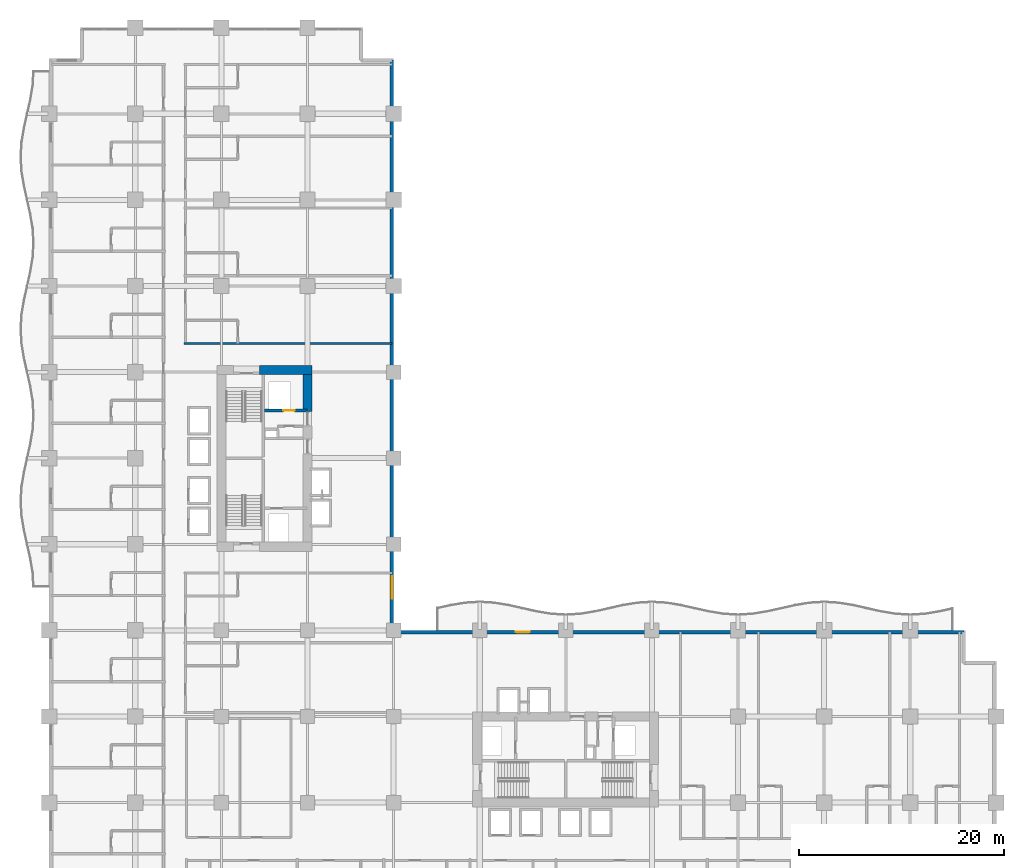
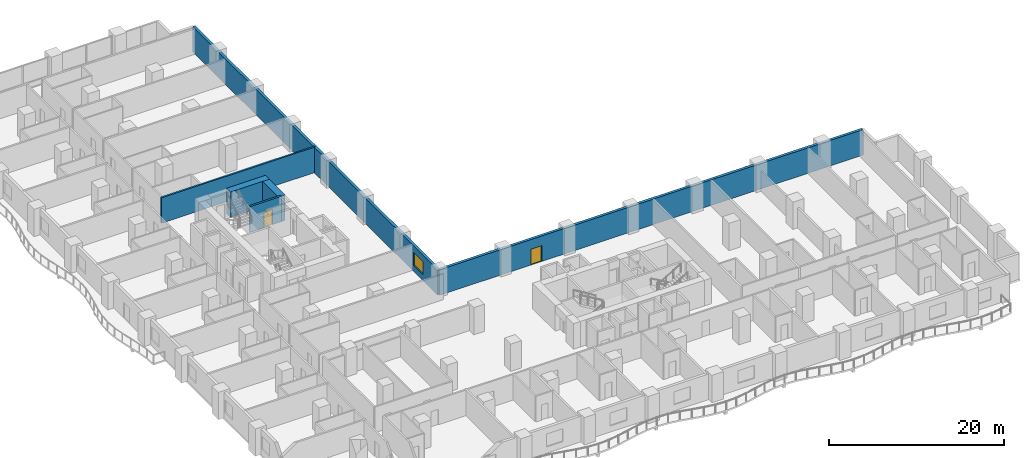
# One storey, part 15 of 23: 6 walls, 2 doors, 1 window, 3 openings.
"""IFC4 building model written with IfcOpenShell, lengths in metres."""

import ifcopenshell
import ifcopenshell.guid

model = None  # the IFC model being written
_history = None  # IfcOwnerHistory: only IFC2X3 demands one
_inside = {}  # id of a spatial element -> (the spatial element, [elements in it])
_under = {}  # id of a project, library or spatial element -> (it, [spatial elements below it])
_declared = {}  # id of a project -> (the project, [libraries it declares])
_typed = {}  # id of a type object -> (the type object, [elements of that type])
_made_of = {}  # id of a material, layer set ... -> (it, [elements and type objects made of it])


def new_model(schema):
    """Start an empty IFC model of exactly this schema.

    Asked for "IFC4X3", IfcOpenShell would pick the latest addendum, in which some entities
    have other attributes; the version numbers below select the first issue.
    IFC2X3 requires an IfcOwnerHistory on every rooted entity: one is made here for all.
    """
    global model, _history
    if schema == "IFC4X3":
        model = ifcopenshell.file(schema_version=(4, 3, 0, 0))
    else:
        model = ifcopenshell.file(schema=schema)
    _inside.clear()
    _under.clear()
    _declared.clear()
    _typed.clear()
    _made_of.clear()
    _history = None
    if model.schema == "IFC2X3":
        org = make("IfcOrganization", Name="unknown")
        user = make(
            "IfcPersonAndOrganization",
            ThePerson=make("IfcPerson", FamilyName="unknown"),
            TheOrganization=org,
        )
        app = make(
            "IfcApplication",
            ApplicationDeveloper=org,
            Version="unknown",
            ApplicationFullName="unknown",
            ApplicationIdentifier="unknown",
        )
        _history = make(
            "IfcOwnerHistory",
            OwningUser=user,
            OwningApplication=app,
            ChangeAction="ADDED",
            CreationDate=0,
        )
    return model


def make(cls, **values):
    """One entity of the class cls with the attributes given. An attribute that is None is left unset."""
    return model.create_entity(
        cls, **{name: value for name, value in values.items() if value is not None}
    )


def rooted(cls, **values):
    """An entity with a GlobalId (a new one), such as an element, a storey or a relation."""
    return make(cls, GlobalId=ifcopenshell.guid.new(), OwnerHistory=_history, **values)


def si_unit(unit_type, name, prefix=None):
    """IfcSIUnit, for example si_unit("LENGTHUNIT", "METRE", prefix="MILLI")."""
    return make("IfcSIUnit", UnitType=unit_type, Prefix=prefix, Name=name)


def assignment(units):
    """IfcUnitAssignment: the units of a project."""
    return None if units is None else make("IfcUnitAssignment", Units=units)


def point(xyz):
    """IfcCartesianPoint."""
    return None if xyz is None else make("IfcCartesianPoint", Coordinates=xyz)


def direction(xyz):
    """IfcDirection."""
    return None if xyz is None else make("IfcDirection", DirectionRatios=xyz)


def frame(location, z_axis=None, x_axis=None):
    """IfcAxis2Placement3D, a coordinate frame: its origin and axes. An axis left out is left unset."""
    return make(
        "IfcAxis2Placement3D",
        Location=point(location),
        Axis=direction(z_axis),
        RefDirection=direction(x_axis),
    )


def frame_2d(location, x_axis=None):
    """IfcAxis2Placement2D, a coordinate frame in the plane: its origin and x axis."""
    return make(
        "IfcAxis2Placement2D", Location=point(location), RefDirection=direction(x_axis)
    )


def origin():
    """The frame at (0, 0, 0) with its axes left unset."""
    return frame((0.0, 0.0, 0.0))


def place(relative_to, where):
    """IfcLocalPlacement: puts the frame where relative to a parent placement (None: the world)."""
    return make(
        "IfcLocalPlacement", PlacementRelTo=relative_to, RelativePlacement=where
    )


def context(
    kind, dimensions, precision=None, world=None, true_north=None, identifier=None
):
    """IfcGeometricRepresentationContext, for example the 3D "Model" context."""
    return make(
        "IfcGeometricRepresentationContext",
        ContextIdentifier=identifier,
        ContextType=kind,
        CoordinateSpaceDimension=dimensions,
        Precision=precision,
        WorldCoordinateSystem=world,
        TrueNorth=true_north,
    )


def subcontext(parent, identifier, kind, view, scale=None):
    """IfcGeometricRepresentationSubContext, for example "Body" below "Model"."""
    return make(
        "IfcGeometricRepresentationSubContext",
        ContextIdentifier=identifier,
        ContextType=kind,
        ParentContext=parent,
        TargetScale=scale,
        TargetView=view,
    )


def project(units=None, contexts=None):
    """IfcProject with its units and contexts."""
    return rooted(
        "IfcProject",
        Name="project",
        RepresentationContexts=contexts,
        UnitsInContext=assignment(units),
    )


def spatial(cls, under=None, at=None, **own):
    """A site, building, storey or space (cls), placed at a placement, below another one or the project."""
    s = rooted(cls, ObjectPlacement=at, **own)
    if under is not None:
        _under.setdefault(under.id(), (under, []))[1].append(s)
    return s


def profile(cls, at=None, kind="AREA", **sizes):
    """A parametric profile (cls). Its sizes go by their IFC names, for example OverallWidth=200.0."""
    return make(cls, ProfileType=kind, Position=at, **sizes)


def rectangle(**sizes):
    """IfcRectangleProfileDef."""
    return profile("IfcRectangleProfileDef", **sizes)


def extrude(swept, where, along, depth):
    """IfcExtrudedAreaSolid: the profile swept, set in the frame where, extruded along a direction by depth."""
    return make(
        "IfcExtrudedAreaSolid",
        SweptArea=swept,
        Position=where,
        ExtrudedDirection=direction(along),
        Depth=depth,
    )


def shape(context_of_items, identifier, shape_type, items):
    """IfcShapeRepresentation: the items that make up one representation, for example the "Body"."""
    return make(
        "IfcShapeRepresentation",
        ContextOfItems=context_of_items,
        RepresentationIdentifier=identifier,
        RepresentationType=shape_type,
        Items=items,
    )


def material(Name=None, Category=None):
    """IfcMaterial."""
    return make("IfcMaterial", Name=Name, Category=Category)


def layer(
    of_material, thickness, ventilated=None, Name=None, Category=None, Priority=None
):
    """IfcMaterialLayer: one layer of a wall or slab, of a material (None: an air gap)."""
    return make(
        "IfcMaterialLayer",
        Material=of_material,
        LayerThickness=thickness,
        IsVentilated=ventilated,
        Name=Name,
        Category=Category,
        Priority=Priority,
    )


def layer_set(layers, Name=None):
    """IfcMaterialLayerSet."""
    return make("IfcMaterialLayerSet", MaterialLayers=layers, LayerSetName=Name)


def made_of(thing, what):
    """Note that an element or type object is made of a material, layer set ...; save() writes the relation."""
    if what is not None:
        _made_of.setdefault(what.id(), (what, []))[1].append(thing)
    return thing


def type_object(cls, material=None, **own):
    """A type object (cls), such as IfcWallType, which elements share."""
    return made_of(rooted(cls, **own), material)


def element(
    cls,
    number,
    at=None,
    inside=None,
    cuts=None,
    type_object=None,
    material=None,
    context=None,
    identifier="Body",
    shape_type=None,
    held_by="IfcProductDefinitionShape",
    body=None,
    shapes=None,
    **own,
):
    """One element of the class cls, such as IfcWall. Its Tag is "e" and its number.

    at: its placement. inside: the storey or other place that contains it. cuts: it is an
    opening in that element (IfcRelVoidsElement). A single representation is given by context,
    identifier, shape_type and body (its items); several are given by shapes. held_by: the class
    of the entity that holds the representations. save() writes the other relations.
    """
    e = rooted(cls, Tag="e%d" % number, ObjectPlacement=at, **own)
    if body is not None:
        shapes = [shape(context, identifier, shape_type, body)]
    if shapes is not None:
        e.Representation = make(held_by, Representations=shapes)
    if inside is not None:
        _inside.setdefault(inside.id(), (inside, []))[1].append(e)
    if cuts is not None:
        rooted(
            "IfcRelVoidsElement", RelatingBuildingElement=cuts, RelatedOpeningElement=e
        )
    if type_object is not None:
        _typed.setdefault(type_object.id(), (type_object, []))[1].append(e)
    return made_of(e, material)


def fill(opening, filler):
    """IfcRelFillsElement: the door or window that sits in an opening."""
    return rooted(
        "IfcRelFillsElement",
        RelatingOpeningElement=opening,
        RelatedBuildingElement=filler,
    )


def aggregate(whole, parts):
    """IfcRelAggregates: a whole, such as a stair, and the parts it consists of."""
    return rooted("IfcRelAggregates", RelatingObject=whole, RelatedObjects=parts)


def save(model, path):
    """Write the relations noted so far, then the file.

    IfcRelAggregates (storeys below a building ...), IfcRelContainedInSpatialStructure (elements
    in a storey), IfcRelDefinesByType, IfcRelAssociatesMaterial and IfcRelDeclares: one each for
    every whole, place, type object, material and project.
    """
    for whole, parts in _under.values():
        aggregate(whole, parts)
    for where, things in _inside.values():
        rooted(
            "IfcRelContainedInSpatialStructure",
            RelatedElements=things,
            RelatingStructure=where,
        )
    for kind, things in _typed.values():
        rooted("IfcRelDefinesByType", RelatedObjects=things, RelatingType=kind)
    for what, things in _made_of.values():
        rooted("IfcRelAssociatesMaterial", RelatedObjects=things, RelatingMaterial=what)
    for by, libraries in _declared.values():
        rooted("IfcRelDeclares", RelatingContext=by, RelatedDefinitions=libraries)
    model.write(path)


model = new_model("IFC4")

# Units and contexts
model_context = context("Model", 3, precision=1e-05, world=origin(), true_north=direction((0.0, 1.0)))
body_context = subcontext(model_context, "Body", "Model", "MODEL_VIEW")
ifc_project = project(units=[si_unit("LENGTHUNIT", "METRE"), si_unit("AREAUNIT", "SQUARE_METRE"), si_unit("VOLUMEUNIT", "CUBIC_METRE"), si_unit("PLANEANGLEUNIT", "RADIAN"), si_unit("MASSUNIT", "GRAM", prefix="KILO")], contexts=[model_context])

# Site, building, storey
site_placement = place(None, origin())
site = spatial("IfcSite", under=ifc_project, at=site_placement, CompositionType="ELEMENT")
building_placement = place(site_placement, origin())
building = spatial("IfcBuilding", under=site, at=building_placement, Name="Koriwani Terraces Tower", CompositionType="ELEMENT")
storey_placement = place(building_placement, frame((0.0, 0.0, 32.0)))
storey = spatial("IfcBuildingStorey", under=building, at=storey_placement, Name="L06", CompositionType="ELEMENT", Elevation=32.0)

# Walls
ifc_material_1 = material(Name="Concrete C60/75", Category="concrete")
ifc_layer_1 = layer(ifc_material_1, 0.89990234375, Name="Concrete C60/75")
ifc_layer_set_1 = layer_set([ifc_layer_1], Name="Concrete C60/75")
wall_type_1 = type_object("IfcWallType", Name="WALL_CORE_RC_900", PredefinedType="SHEAR", material=ifc_layer_set_1)
wall_1_placement = place(storey_placement, frame((20.5, 59.0, 0.0), z_axis=(0.0, 0.0, 1.0), x_axis=(1.0, 0.0, 0.0)))
element("IfcWall", 1, at=wall_1_placement, inside=storey, type_object=wall_type_1, Name="L06 West Split Core Shear Wall N2", PredefinedType="SHEAR", context=body_context, shape_type="SweptSolid", body=[
    extrude(rectangle(XDim=5.14990234375, YDim=0.89990234375, at=frame_2d((2.574951171875, 0.0))), origin(), (0.0, 0.0, 1.0), 3.550048828125),
])
wall_2_placement = place(storey_placement, frame((25.199951171875, 54.949951171875, 0.0), z_axis=(0.0, 0.0, 1.0), x_axis=(0.0, 1.0, 0.0)))
element("IfcWall", 2, at=wall_2_placement, inside=storey, type_object=wall_type_1, Name="L06 West Split Core Shear Wall E3", PredefinedType="SHEAR", context=body_context, shape_type="SweptSolid", body=[
    extrude(rectangle(XDim=3.60009765625, YDim=0.89990234375, at=frame_2d((1.800048828125, 0.0))), origin(), (0.0, 0.0, 1.0), 3.550048828125),
])
ifc_material_2 = material(Name="Autoclaved Cellular Concrete Blockwork", Category="masonry")
ifc_layer_2 = layer(ifc_material_2, 0.219970703125, Name="Autoclaved Cellular Concrete Blockwork")
ifc_layer_set_2 = layer_set([ifc_layer_2], Name="Autoclaved Cellular Concrete Blockwork")
wall_type_2 = type_object("IfcWallType", Name="WALL_DEMISING_220", PredefinedType="PARTITIONING", material=ifc_layer_set_2)
wall_3_placement = place(storey_placement, frame((13.14990234375, 61.60009765625, 0.0), z_axis=(0.0, 0.0, 1.0), x_axis=(1.0, 0.0, 0.0)))
element("IfcWall", 3, at=wall_3_placement, inside=storey, type_object=wall_type_2, Name="L06 Interior Wall WDEM-L06-NE-0", PredefinedType="PARTITIONING", context=body_context, shape_type="SweptSolid", body=[
    extrude(rectangle(XDim=20.280029296875, YDim=0.219970703125, at=frame_2d((10.14013671875, 0.0))), origin(), (0.0, 0.0, 1.0), 3.550048828125),
])

# Wall, opening, window
ifc_material_3 = material(Name="Concrete C50/60", Category="concrete")
ifc_layer_3 = layer(ifc_material_3, 0.35009765625, Name="Concrete C50/60")
ifc_layer_set_3 = layer_set([ifc_layer_3], Name="Concrete C50/60")
wall_type_3 = type_object("IfcWallType", Name="WALL_EXT_BRUTALIST_350", PredefinedType="STANDARD", material=ifc_layer_set_3)
wall_4_placement = place(storey_placement, frame((33.425048828125, 89.22509765625, 0.0), z_axis=(0.0, 0.0, 1.0), x_axis=(0.0, -1.0, 0.0)))
wall_4 = element("IfcWall", 4, at=wall_4_placement, inside=storey, type_object=wall_type_3, Name="L06 Fair-Faced Brutalist Exterior Wall (NW_IN)", PredefinedType="STANDARD", context=body_context, shape_type="SweptSolid", body=[
    extrude(rectangle(XDim=55.800048828125, YDim=0.35009765625, at=frame_2d((27.89990234375, 0.0))), origin(), (0.0, 0.0, 1.0), 3.550048828125),
])
opening_1_placement = place(wall_4_placement, frame((50.324951171875, 0.0, 0.85009765625)))
opening_1 = element("IfcOpeningElement", 5, at=opening_1_placement, cuts=wall_4, Name="Opening W-01", PredefinedType="OPENING", context=body_context, shape_type="SweptSolid", body=[
    extrude(rectangle(XDim=2.199951171875, YDim=1.800048828125, at=frame_2d((1.10009765625, 0.89990234375))), frame((0.0, 0.18505859375, 0.0), z_axis=(0.0, -1.0, 0.0), x_axis=(1.0, 0.0, 0.0)), (0.0, 0.0, 1.0), 0.3701171875),
])
ifc_material_4 = material(Name="Tempered Laminated Low-E Glass", Category="glass")
window_type = type_object("IfcWindowType", Name="WIN_HOTEL_STD_2200X1800", PartitioningType="DOUBLE_PANEL_VERTICAL", PredefinedType="WINDOW", material=ifc_material_4)
window_placement = place(opening_1_placement, origin())
window = element("IfcWindow", 6, at=window_placement, inside=storey, type_object=window_type, Name="L06 Exterior Window (NW_IN-2)", OverallHeight=1.800048828125, OverallWidth=2.199951171875, PartitioningType="SINGLE_PANEL", PredefinedType="WINDOW", context=body_context, shape_type="SweptSolid", body=[
    extrude(rectangle(XDim=2.199951171875, YDim=1.800048828125, at=frame_2d((1.10009765625, 0.89990234375))), frame((0.0, 0.030029296875, 0.0), z_axis=(0.0, -1.0, 0.0), x_axis=(1.0, 0.0, 0.0)), (0.0, 0.0, 1.0), 0.06005859375),
])
fill(opening_1, window)

# Wall, opening, door
wall_5_placement = place(storey_placement, frame((33.425048828125, 33.425048828125, 0.0), z_axis=(0.0, 0.0, 1.0), x_axis=(1.0, 0.0, 0.0)))
wall_5 = element("IfcWall", 7, at=wall_5_placement, inside=storey, type_object=wall_type_3, Name="L06 Fair-Faced Brutalist Exterior Wall (NE)", PredefinedType="STANDARD", context=body_context, shape_type="SweptSolid", body=[
    extrude(rectangle(XDim=55.800048828125, YDim=0.35009765625, at=frame_2d((27.89990234375, 0.0))), origin(), (0.0, 0.0, 1.0), 3.550048828125),
])
opening_2_placement = place(wall_5_placement, frame((12.074951171875, 0.0, 0.0)))
opening_2 = element("IfcOpeningElement", 8, at=opening_2_placement, cuts=wall_5, Name="Opening D-09", PredefinedType="OPENING", context=body_context, shape_type="SweptSolid", body=[
    extrude(rectangle(XDim=1.39990234375, YDim=2.199951171875, at=frame_2d((0.699951171875, 1.10009765625))), frame((0.0, 0.18505859375, 0.0), z_axis=(0.0, -1.0, 0.0), x_axis=(1.0, 0.0, 0.0)), (0.0, 0.0, 1.0), 0.3701171875),
])
ifc_material_5 = material(Name="Anodised Bronze Aluminium", Category="aluminium")
door_type_1 = type_object("IfcDoorType", Name="DOOR_BALCONY_GLAZED_1400X2200", OperationType="NOTDEFINED", PredefinedType="DOOR", material=ifc_material_5)
door_1_placement = place(opening_2_placement, origin())
door_1 = element("IfcDoor", 9, at=door_1_placement, inside=storey, type_object=door_type_1, Name="L06 Inner Court Balcony Glazed Door", OperationType="SINGLE_SWING_LEFT", OverallHeight=2.199951171875, OverallWidth=1.39990234375, PredefinedType="DOOR", context=body_context, shape_type="SweptSolid", body=[
    extrude(rectangle(XDim=1.39990234375, YDim=2.199951171875, at=frame_2d((0.699951171875, 1.10009765625))), frame((0.0, 0.02490234375, 0.0), z_axis=(0.0, -1.0, 0.0), x_axis=(1.0, 0.0, 0.0)), (0.0, 0.0, 1.0), 0.050048828125),
])
fill(opening_2, door_1)

ifc_material_6 = material(Name="Concrete C40/50", Category="concrete")
ifc_layer_4 = layer(ifc_material_6, 0.25, Name="Concrete C40/50")
ifc_layer_set_4 = layer_set([ifc_layer_4], Name="Concrete C40/50")
wall_type_4 = type_object("IfcWallType", Name="WALL_SHAFT_RATED_250", PredefinedType="SOLIDWALL", material=ifc_layer_set_4)
wall_6_placement = place(storey_placement, frame((21.0, 55.050048828125, 0.0), z_axis=(0.0, 0.0, 1.0), x_axis=(1.0, 0.0, 0.0)))
wall_6 = element("IfcWall", 10, at=wall_6_placement, inside=storey, type_object=wall_type_4, Name="L06 Interior Wall WIN-CW-L06-SE", PredefinedType="SOLIDWALL", context=body_context, shape_type="SweptSolid", body=[
    extrude(rectangle(XDim=4.14990234375, YDim=0.25, at=frame_2d((2.074951171875, 0.0))), origin(), (0.0, 0.0, 1.0), 3.550048828125),
])
opening_3_placement = place(wall_6_placement, frame((1.85009765625, 0.0, 0.0)))
opening_3 = element("IfcOpeningElement", 11, at=opening_3_placement, cuts=wall_6, Name="Opening LD-01", PredefinedType="OPENING", context=body_context, shape_type="SweptSolid", body=[
    extrude(rectangle(XDim=1.10009765625, YDim=2.14990234375, at=frame_2d((0.550048828125, 1.074951171875))), frame((0.0, 0.135009765625, 0.0), z_axis=(0.0, -1.0, 0.0), x_axis=(1.0, 0.0, 0.0)), (0.0, 0.0, 1.0), 0.27001953125),
])
ifc_material_7 = material(Name="Steel ASTM A572 Grade 50", Category="steel")
door_type_2 = type_object("IfcDoorType", Name="DOOR_LIFT_LANDING_1100X2200", OperationType="NOTDEFINED", PredefinedType="DOOR", material=ifc_material_7)
door_2_placement = place(opening_3_placement, origin())
door_2 = element("IfcDoor", 12, at=door_2_placement, inside=storey, type_object=door_type_2, Name="L06 Goods Lift SE-01 Landing Door", OperationType="SLIDING_TO_LEFT", OverallHeight=2.14990234375, OverallWidth=1.10009765625, PredefinedType="DOOR", context=body_context, shape_type="SweptSolid", body=[
    extrude(rectangle(XDim=1.10009765625, YDim=2.14990234375, at=frame_2d((0.550048828125, 1.074951171875))), frame((0.0, 0.02490234375, 0.0), z_axis=(0.0, -1.0, 0.0), x_axis=(1.0, 0.0, 0.0)), (0.0, 0.0, 1.0), 0.050048828125),
])
fill(opening_3, door_2)

save(model, "model.ifc")
